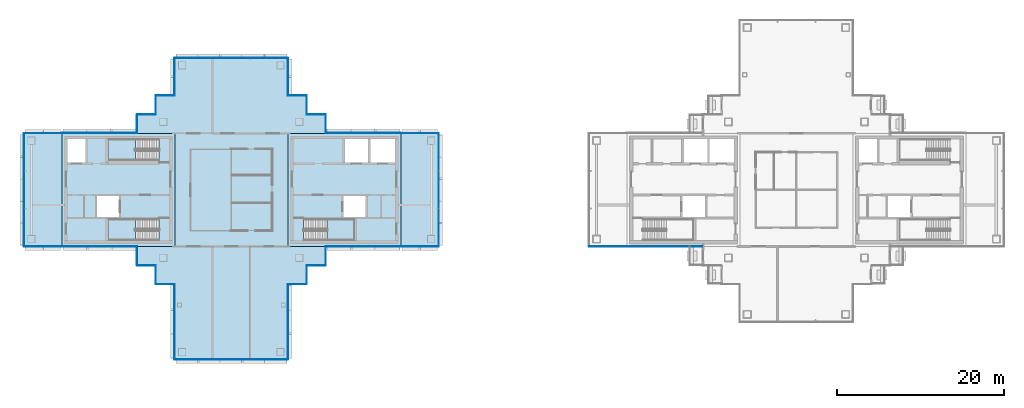
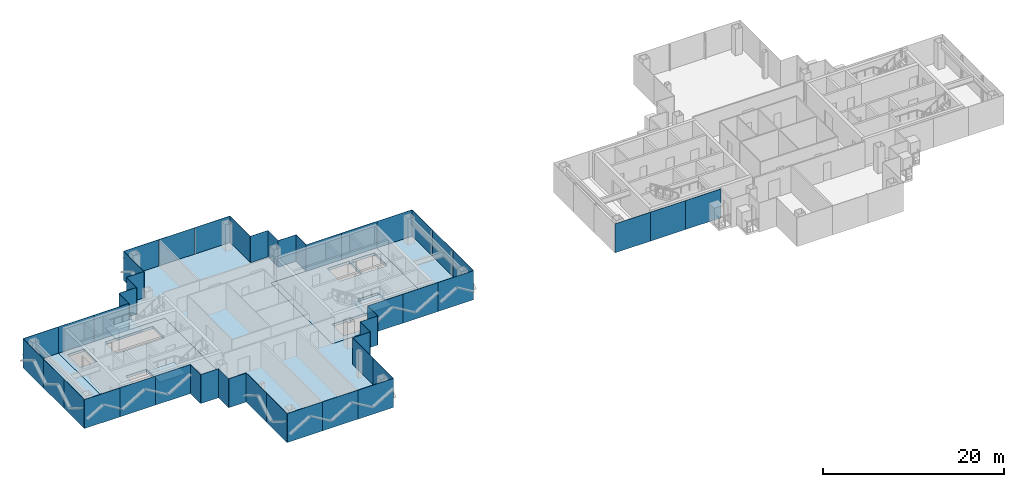
# One storey, part 7 of 17: 49 plates, 8 slabs, 25 elements without a shape of their own.
"""IFC4 building model written with IfcOpenShell, lengths in metres."""

from ifc_helpers import new_model, si_unit, direction, frame, origin, origin_2d, place, context, subcontext, project, spatial, polyline, rectangle, outline, extrude, material, layer, layer_set, type_object, element, aggregate, save


model = new_model("IFC4")

# Units and contexts
model_context = context("Model", 3, precision=1e-05, world=origin(), true_north=direction((0.0, 1.0)))
body_context = subcontext(model_context, "Body", "Model", "MODEL_VIEW")
ifc_project = project(units=[si_unit("LENGTHUNIT", "METRE"), si_unit("AREAUNIT", "SQUARE_METRE"), si_unit("VOLUMEUNIT", "CUBIC_METRE"), si_unit("PLANEANGLEUNIT", "RADIAN"), si_unit("MASSUNIT", "GRAM", prefix="KILO")], contexts=[model_context])

# Site, building, storey
site_placement = place(None, origin())
site = spatial("IfcSite", under=ifc_project, at=site_placement, CompositionType="ELEMENT")
building_placement = place(site_placement, origin())
building = spatial("IfcBuilding", under=site, at=building_placement, Name="Shamsa Quay Exchange Towers", CompositionType="ELEMENT")
storey_placement = place(building_placement, frame((0.0, 0.0, 257.699951171875)))
storey = spatial("IfcBuildingStorey", under=building, at=storey_placement, Name="L62", CompositionType="ELEMENT", Elevation=257.699951171875)

# Slabs
ifc_material_1 = material(Name="Concrete C50/60", Category="concrete")
ifc_layer_1 = layer(ifc_material_1, 0.35009765625)
ifc_layer_set_1 = layer_set([ifc_layer_1], Name="CORE FLOOR 350 C50/60")
slab_type_1 = type_object("IfcSlabType", Name="CORE FLOOR 350 C50/60", PredefinedType="FLOOR", material=ifc_layer_set_1)
slab_1_placement = place(storey_placement, frame((0.0, 0.0, -0.349853515625)))
element("IfcSlab", 1, at=slab_1_placement, inside=storey, type_object=slab_type_1, Name="Core floor T1A", PredefinedType="FLOOR", context=body_context, shape_type="SweptSolid", body=[
    extrude(outline(polyline([(-27.0, -6.75), (-13.5, -6.75), (-13.5, 6.75), (-27.0, 6.75), (-27.0, -6.75)]), holes=[polyline([(-25.099365234375, -6.050048828125), (-25.099365234375, -3.5), (-19.0, -3.5), (-19.0, -6.050048828125), (-25.099365234375, -6.050048828125)]), polyline([(-20.199951171875, 3.25), (-20.199951171875, 6.050048828125), (-17.39990234375, 6.050048828125), (-17.39990234375, 3.25), (-20.199951171875, 3.25)]), polyline([(-17.14990234375, 3.25), (-17.14990234375, 6.050048828125), (-14.199951171875, 6.050048828125), (-14.199951171875, 3.25), (-17.14990234375, 3.25)]), polyline([(-20.35009765625, -3.25), (-20.35009765625, -0.75), (-17.699951171875, -0.75), (-17.699951171875, -3.25), (-20.35009765625, -3.25)])]), origin(), (0.0, 0.0, 1.0), 0.349853515625),
])
slab_2_placement = place(storey_placement, frame((0.0, 0.0, -0.349853515625)))
element("IfcSlab", 2, at=slab_2_placement, inside=storey, type_object=slab_type_1, Name="Core floor T1B", PredefinedType="FLOOR", context=body_context, shape_type="SweptSolid", body=[
    extrude(outline(polyline([(-40.5, -6.75), (-40.5, 6.75), (-54.0, 6.75), (-54.0, -6.75), (-40.5, -6.75)]), holes=[polyline([(-42.400634765625, -3.5), (-42.400634765625, -6.050048828125), (-48.5, -6.050048828125), (-48.5, -3.5), (-42.400634765625, -3.5)]), polyline([(-42.400634765625, 6.050048828125), (-42.400634765625, 3.5), (-48.5, 3.5), (-48.5, 6.050048828125), (-42.400634765625, 6.050048828125)]), polyline([(-51.14990234375, 3.25), (-53.300048828125, 3.25), (-53.300048828125, 6.050048828125), (-51.14990234375, 6.050048828125), (-51.14990234375, 3.25)]), polyline([(-47.14990234375, -3.25), (-49.800048828125, -3.25), (-49.800048828125, -0.75), (-47.14990234375, -0.75), (-47.14990234375, -3.25)])]), origin(), (0.0, 0.0, 1.0), 0.349853515625),
])

# Stair, slab
ifc_material_2 = material(Name="Concrete C40/50", Category="concrete")
stair_type = type_object("IfcStairType", Name="EXIT STAIR 22 RISERS 177 MM", PredefinedType="HALF_TURN_STAIR", material=ifc_material_2)
stair_1_placement = place(storey_placement, origin())
stair_1 = element("IfcStair", 3, at=stair_1_placement, inside=storey, type_object=stair_type, Name="L62 Exit stair ST1", PredefinedType="HALF_TURN_STAIR")
ifc_layer_2 = layer(ifc_material_2, 0.199951171875)
ifc_layer_set_2 = layer_set([ifc_layer_2], Name="CORE STAIR LANDING")
slab_type_2 = type_object("IfcSlabType", Name="CORE STAIR LANDING", PredefinedType="LANDING", material=ifc_layer_set_2)
slab_3_placement = place(storey_placement, frame((0.0, 0.0, 1.75)))
slab_3 = element("IfcSlab", 4, at=slab_3_placement, type_object=slab_type_2, Name="ST1 landing 1", PredefinedType="LANDING", context=body_context, shape_type="SweptSolid", body=[
    extrude(outline(polyline([(-22.300048828125, -6.050048828125), (-19.0, -6.050048828125), (-19.0, -3.5), (-22.300048828125, -3.5), (-22.300048828125, -6.050048828125)])), origin(), (0.0, 0.0, 1.0), 0.199951171875),
])
aggregate(stair_1, [slab_3])

stair_2_placement = place(storey_placement, origin())
stair_2 = element("IfcStair", 5, at=stair_2_placement, inside=storey, type_object=stair_type, Name="L62 Exit stair ST2", PredefinedType="HALF_TURN_STAIR")
slab_4_placement = place(storey_placement, frame((0.0, 0.0, 1.75)))
slab_4 = element("IfcSlab", 6, at=slab_4_placement, type_object=slab_type_2, Name="ST2 landing 1", PredefinedType="LANDING", context=body_context, shape_type="SweptSolid", body=[
    extrude(outline(polyline([(-45.199951171875, -3.5), (-48.5, -3.5), (-48.5, -6.050048828125), (-45.199951171875, -6.050048828125), (-45.199951171875, -3.5)])), origin(), (0.0, 0.0, 1.0), 0.199951171875),
])
aggregate(stair_2, [slab_4])

stair_3_placement = place(storey_placement, origin())
stair_3 = element("IfcStair", 7, at=stair_3_placement, inside=storey, type_object=stair_type, Name="L62 Exit stair ST3", PredefinedType="HALF_TURN_STAIR")
slab_5_placement = place(storey_placement, frame((0.0, 0.0, 1.75)))
slab_5 = element("IfcSlab", 8, at=slab_5_placement, type_object=slab_type_2, Name="ST3 landing 1", PredefinedType="LANDING", context=body_context, shape_type="SweptSolid", body=[
    extrude(outline(polyline([(-45.199951171875, 6.050048828125), (-48.5, 6.050048828125), (-48.5, 3.5), (-45.199951171875, 3.5), (-45.199951171875, 6.050048828125)])), origin(), (0.0, 0.0, 1.0), 0.199951171875),
])
aggregate(stair_3, [slab_5])

# Curtain wall, plates
ifc_material_3 = material(Name="Aluminium EN AW-6063 T6, black anodised", Category="aluminium")
ifc_layer_3 = layer(ifc_material_3, 0.280029296875)
ifc_layer_set_3 = layer_set([ifc_layer_3], Name="CW-1 UNITISED VISION GLASS")
curtain_wall_type_1 = type_object("IfcCurtainWallType", Name="CW-1 UNITISED VISION GLASS", PredefinedType="NOTDEFINED", material=ifc_layer_set_3)
curtain_wall_1_placement = place(storey_placement, origin())
curtain_wall_1 = element("IfcCurtainWall", 9, at=curtain_wall_1_placement, inside=storey, type_object=curtain_wall_type_1, Name="CW1 T1-FLK-V-W L62", PredefinedType="NOTDEFINED")
ifc_material_4 = material(Name="Glass, laminated, dark tinted", Category="glass")
ifc_layer_4 = layer(ifc_material_4, 0.0400390625)
ifc_layer_set_4 = layer_set([ifc_layer_4], Name="CW-1 VISION GLASS 40")
plate_type_1 = type_object("IfcPlateType", Name="CW-1 VISION GLASS 40", PredefinedType="CURTAIN_PANEL", material=ifc_layer_set_4)
plate_1_placement = place(storey_placement, frame((-40.52001953125, -13.52587890625, -0.349853515625), z_axis=(0.0, 0.0, 1.0), x_axis=(0.0, -1.0, 0.0)))
plate_1 = element("IfcPlate", 10, at=plate_1_placement, type_object=plate_type_1, Name="CW1 glass panel", PredefinedType="CURTAIN_PANEL", context=body_context, shape_type="SweptSolid", body=[
    extrude(rectangle(XDim=4.47607421875, YDim=0.0400390625, at=origin_2d()), origin(), (0.0, 0.0, 1.0), 3.89990234375),
])
plate_2_placement = place(storey_placement, frame((-40.52001953125, -18.011962890625, -0.349853515625), z_axis=(0.0, 0.0, 1.0), x_axis=(0.0, -1.0, 0.0)))
plate_2 = element("IfcPlate", 11, at=plate_2_placement, type_object=plate_type_1, Name="CW1 glass panel", PredefinedType="CURTAIN_PANEL", context=body_context, shape_type="SweptSolid", body=[
    extrude(rectangle(XDim=4.47607421875, YDim=0.0400390625, at=origin_2d()), origin(), (0.0, 0.0, 1.0), 3.89990234375),
])
aggregate(curtain_wall_1, [plate_1, plate_2])

curtain_wall_2_placement = place(storey_placement, origin())
curtain_wall_2 = element("IfcCurtainWall", 12, at=curtain_wall_2_placement, inside=storey, type_object=curtain_wall_type_1, Name="CW1 T1-END-V- L62", PredefinedType="NOTDEFINED")
plate_3_placement = place(storey_placement, frame((-38.25244140625, -20.27001953125, -0.349853515625)))
plate_3 = element("IfcPlate", 13, at=plate_3_placement, type_object=plate_type_1, Name="CW1 glass panel", PredefinedType="CURTAIN_PANEL", context=body_context, shape_type="SweptSolid", body=[
    extrude(rectangle(XDim=4.4951171875, YDim=0.0400390625, at=origin_2d()), origin(), (0.0, 0.0, 1.0), 3.89990234375),
])
plate_4_placement = place(storey_placement, frame((-33.75, -20.27001953125, -0.349853515625)))
plate_4 = element("IfcPlate", 14, at=plate_4_placement, type_object=plate_type_1, Name="CW1 glass panel", PredefinedType="CURTAIN_PANEL", context=body_context, shape_type="SweptSolid", body=[
    extrude(rectangle(XDim=4.489990234375, YDim=0.0400390625, at=origin_2d()), origin(), (0.0, 0.0, 1.0), 3.89990234375),
])
plate_5_placement = place(storey_placement, frame((-29.24755859375, -20.27001953125, -0.349853515625)))
plate_5 = element("IfcPlate", 15, at=plate_5_placement, type_object=plate_type_1, Name="CW1 glass panel", PredefinedType="CURTAIN_PANEL", context=body_context, shape_type="SweptSolid", body=[
    extrude(rectangle(XDim=4.4951171875, YDim=0.0400390625, at=origin_2d()), origin(), (0.0, 0.0, 1.0), 3.89990234375),
])
aggregate(curtain_wall_2, [plate_3, plate_4, plate_5])

curtain_wall_3_placement = place(storey_placement, origin())
curtain_wall_3 = element("IfcCurtainWall", 16, at=curtain_wall_3_placement, inside=storey, type_object=curtain_wall_type_1, Name="CW1 T1-FLK-V-E L62", PredefinedType="NOTDEFINED")
plate_6_placement = place(storey_placement, frame((-26.97998046875, -18.00244140625, -0.349853515625), z_axis=(0.0, 0.0, 1.0), x_axis=(0.0, 1.0, 0.0)))
plate_6 = element("IfcPlate", 17, at=plate_6_placement, type_object=plate_type_1, Name="CW1 glass panel", PredefinedType="CURTAIN_PANEL", context=body_context, shape_type="SweptSolid", body=[
    extrude(rectangle(XDim=4.4951171875, YDim=0.0400390625, at=origin_2d()), origin(), (0.0, 0.0, 1.0), 3.89990234375),
])
plate_7_placement = place(storey_placement, frame((-26.97998046875, -13.49755859375, -0.349853515625), z_axis=(0.0, 0.0, 1.0), x_axis=(0.0, 1.0, 0.0)))
plate_7 = element("IfcPlate", 18, at=plate_7_placement, type_object=plate_type_1, Name="CW1 glass panel", PredefinedType="CURTAIN_PANEL", context=body_context, shape_type="SweptSolid", body=[
    extrude(rectangle(XDim=4.4951171875, YDim=0.0400390625, at=origin_2d()), origin(), (0.0, 0.0, 1.0), 3.89990234375),
])
aggregate(curtain_wall_3, [plate_6, plate_7])

# Curtain wall, plate
curtain_wall_4_placement = place(storey_placement, origin())
curtain_wall_4 = element("IfcCurtainWall", 19, at=curtain_wall_4_placement, inside=storey, type_object=curtain_wall_type_1, Name="CW1 T1-FLK-U+S L62", PredefinedType="NOTDEFINED")
plate_8_placement = place(storey_placement, frame((-11.25, -6.77001953125, -0.349853515625)))
plate_8 = element("IfcPlate", 20, at=plate_8_placement, type_object=plate_type_1, Name="CW1 glass panel", PredefinedType="CURTAIN_PANEL", context=body_context, shape_type="SweptSolid", body=[
    extrude(rectangle(XDim=4.5, YDim=0.0400390625, at=origin_2d()), origin(), (0.0, 0.0, 1.0), 3.89990234375),
])
aggregate(curtain_wall_4, [plate_8])

# Curtain wall, plates
curtain_wall_5_placement = place(storey_placement, origin())
curtain_wall_5 = element("IfcCurtainWall", 21, at=curtain_wall_5_placement, inside=storey, type_object=curtain_wall_type_1, Name="CW1 T1-END-U+ L62", PredefinedType="NOTDEFINED")
plate_9_placement = place(storey_placement, frame((-8.97998046875, -4.50244140625, -0.349853515625), z_axis=(0.0, 0.0, 1.0), x_axis=(0.0, 1.0, 0.0)))
plate_9 = element("IfcPlate", 22, at=plate_9_placement, type_object=plate_type_1, Name="CW1 glass panel", PredefinedType="CURTAIN_PANEL", context=body_context, shape_type="SweptSolid", body=[
    extrude(rectangle(XDim=4.4951171875, YDim=0.0400390625, at=origin_2d()), origin(), (0.0, 0.0, 1.0), 3.89990234375),
])
plate_10_placement = place(storey_placement, frame((-8.97998046875, 0.0, -0.349853515625), z_axis=(0.0, 0.0, 1.0), x_axis=(0.0, 1.0, 0.0)))
plate_10 = element("IfcPlate", 23, at=plate_10_placement, type_object=plate_type_1, Name="CW1 glass panel", PredefinedType="CURTAIN_PANEL", context=body_context, shape_type="SweptSolid", body=[
    extrude(rectangle(XDim=4.489990234375, YDim=0.0400390625, at=origin_2d()), origin(), (0.0, 0.0, 1.0), 3.89990234375),
])
plate_11_placement = place(storey_placement, frame((-8.97998046875, 4.50244140625, -0.349853515625), z_axis=(0.0, 0.0, 1.0), x_axis=(0.0, 1.0, 0.0)))
plate_11 = element("IfcPlate", 24, at=plate_11_placement, type_object=plate_type_1, Name="CW1 glass panel", PredefinedType="CURTAIN_PANEL", context=body_context, shape_type="SweptSolid", body=[
    extrude(rectangle(XDim=4.4951171875, YDim=0.0400390625, at=origin_2d()), origin(), (0.0, 0.0, 1.0), 3.89990234375),
])
aggregate(curtain_wall_5, [plate_9, plate_10, plate_11])

# Curtain wall, plate
curtain_wall_6_placement = place(storey_placement, origin())
curtain_wall_6 = element("IfcCurtainWall", 25, at=curtain_wall_6_placement, inside=storey, type_object=curtain_wall_type_1, Name="CW1 T1-FLK-U+N L62", PredefinedType="NOTDEFINED")
plate_12_placement = place(storey_placement, frame((-11.25, 6.77001953125, -0.349853515625), z_axis=(0.0, 0.0, 1.0), x_axis=(-1.0, 0.0, 0.0)))
plate_12 = element("IfcPlate", 26, at=plate_12_placement, type_object=plate_type_1, Name="CW1 glass panel", PredefinedType="CURTAIN_PANEL", context=body_context, shape_type="SweptSolid", body=[
    extrude(rectangle(XDim=4.5, YDim=0.0400390625, at=origin_2d()), origin(), (0.0, 0.0, 1.0), 3.89990234375),
])
aggregate(curtain_wall_6, [plate_12])

curtain_wall_7_placement = place(storey_placement, origin())
curtain_wall_7 = element("IfcCurtainWall", 27, at=curtain_wall_7_placement, inside=storey, type_object=curtain_wall_type_1, Name="CW1 T1-FLK-V+E L62", PredefinedType="NOTDEFINED")
plate_13_placement = place(storey_placement, frame((-26.97998046875, 13.51904296875, -0.349853515625), z_axis=(0.0, 0.0, 1.0), x_axis=(0.0, 1.0, 0.0)))
plate_13 = element("IfcPlate", 28, at=plate_13_placement, type_object=plate_type_1, Name="CW1 glass panel", PredefinedType="CURTAIN_PANEL", context=body_context, shape_type="SweptSolid", body=[
    extrude(rectangle(XDim=4.4619140625, YDim=0.0400390625, at=origin_2d()), origin(), (0.0, 0.0, 1.0), 3.89990234375),
])
aggregate(curtain_wall_7, [plate_13])

# Curtain wall, plates
curtain_wall_8_placement = place(storey_placement, origin())
curtain_wall_8 = element("IfcCurtainWall", 29, at=curtain_wall_8_placement, inside=storey, type_object=curtain_wall_type_1, Name="CW1 T1-END-V+ L62", PredefinedType="NOTDEFINED")
plate_14_placement = place(storey_placement, frame((-29.24755859375, 15.77001953125, -0.349853515625), z_axis=(0.0, 0.0, 1.0), x_axis=(-1.0, 0.0, 0.0)))
plate_14 = element("IfcPlate", 30, at=plate_14_placement, type_object=plate_type_1, Name="CW1 glass panel", PredefinedType="CURTAIN_PANEL", context=body_context, shape_type="SweptSolid", body=[
    extrude(rectangle(XDim=4.4951171875, YDim=0.0400390625, at=origin_2d()), origin(), (0.0, 0.0, 1.0), 3.89990234375),
])
plate_15_placement = place(storey_placement, frame((-33.75, 15.77001953125, -0.349853515625), z_axis=(0.0, 0.0, 1.0), x_axis=(-1.0, 0.0, 0.0)))
plate_15 = element("IfcPlate", 31, at=plate_15_placement, type_object=plate_type_1, Name="CW1 glass panel", PredefinedType="CURTAIN_PANEL", context=body_context, shape_type="SweptSolid", body=[
    extrude(rectangle(XDim=4.489990234375, YDim=0.0400390625, at=origin_2d()), origin(), (0.0, 0.0, 1.0), 3.89990234375),
])
plate_16_placement = place(storey_placement, frame((-38.25244140625, 15.77001953125, -0.349853515625), z_axis=(0.0, 0.0, 1.0), x_axis=(-1.0, 0.0, 0.0)))
plate_16 = element("IfcPlate", 32, at=plate_16_placement, type_object=plate_type_1, Name="CW1 glass panel", PredefinedType="CURTAIN_PANEL", context=body_context, shape_type="SweptSolid", body=[
    extrude(rectangle(XDim=4.4951171875, YDim=0.0400390625, at=origin_2d()), origin(), (0.0, 0.0, 1.0), 3.89990234375),
])
aggregate(curtain_wall_8, [plate_14, plate_15, plate_16])

# Curtain wall, plate
curtain_wall_9_placement = place(storey_placement, origin())
curtain_wall_9 = element("IfcCurtainWall", 33, at=curtain_wall_9_placement, inside=storey, type_object=curtain_wall_type_1, Name="CW1 T1-FLK-V+W L62", PredefinedType="NOTDEFINED")
plate_17_placement = place(storey_placement, frame((-40.52001953125, 13.5, -0.349853515625), z_axis=(0.0, 0.0, 1.0), x_axis=(0.0, -1.0, 0.0)))
plate_17 = element("IfcPlate", 34, at=plate_17_placement, type_object=plate_type_1, Name="CW1 glass panel", PredefinedType="CURTAIN_PANEL", context=body_context, shape_type="SweptSolid", body=[
    extrude(rectangle(XDim=4.5, YDim=0.0400390625, at=origin_2d()), origin(), (0.0, 0.0, 1.0), 3.89990234375),
])
aggregate(curtain_wall_9, [plate_17])

curtain_wall_10_placement = place(storey_placement, origin())
curtain_wall_10 = element("IfcCurtainWall", 35, at=curtain_wall_10_placement, inside=storey, type_object=curtain_wall_type_1, Name="CW1 T1-FLK-U-N L62", PredefinedType="NOTDEFINED")
plate_18_placement = place(storey_placement, frame((-56.25, 6.77001953125, -0.349853515625), z_axis=(0.0, 0.0, 1.0), x_axis=(-1.0, 0.0, 0.0)))
plate_18 = element("IfcPlate", 36, at=plate_18_placement, type_object=plate_type_1, Name="CW1 glass panel", PredefinedType="CURTAIN_PANEL", context=body_context, shape_type="SweptSolid", body=[
    extrude(rectangle(XDim=4.5, YDim=0.0400390625, at=origin_2d()), origin(), (0.0, 0.0, 1.0), 3.89990234375),
])
aggregate(curtain_wall_10, [plate_18])

# Curtain wall, plates
curtain_wall_11_placement = place(storey_placement, origin())
curtain_wall_11 = element("IfcCurtainWall", 37, at=curtain_wall_11_placement, inside=storey, type_object=curtain_wall_type_1, Name="CW1 T1-END-U- L62", PredefinedType="NOTDEFINED")
plate_19_placement = place(storey_placement, frame((-58.52001953125, 4.50244140625, -0.349853515625), z_axis=(0.0, 0.0, 1.0), x_axis=(0.0, -1.0, 0.0)))
plate_19 = element("IfcPlate", 38, at=plate_19_placement, type_object=plate_type_1, Name="CW1 glass panel", PredefinedType="CURTAIN_PANEL", context=body_context, shape_type="SweptSolid", body=[
    extrude(rectangle(XDim=4.4951171875, YDim=0.0400390625, at=origin_2d()), origin(), (0.0, 0.0, 1.0), 3.89990234375),
])
plate_20_placement = place(storey_placement, frame((-58.52001953125, 0.0, -0.349853515625), z_axis=(0.0, 0.0, 1.0), x_axis=(0.0, -1.0, 0.0)))
plate_20 = element("IfcPlate", 39, at=plate_20_placement, type_object=plate_type_1, Name="CW1 glass panel", PredefinedType="CURTAIN_PANEL", context=body_context, shape_type="SweptSolid", body=[
    extrude(rectangle(XDim=4.489990234375, YDim=0.0400390625, at=origin_2d()), origin(), (0.0, 0.0, 1.0), 3.89990234375),
])
plate_21_placement = place(storey_placement, frame((-58.52001953125, -4.50244140625, -0.349853515625), z_axis=(0.0, 0.0, 1.0), x_axis=(0.0, -1.0, 0.0)))
plate_21 = element("IfcPlate", 40, at=plate_21_placement, type_object=plate_type_1, Name="CW1 glass panel", PredefinedType="CURTAIN_PANEL", context=body_context, shape_type="SweptSolid", body=[
    extrude(rectangle(XDim=4.4951171875, YDim=0.0400390625, at=origin_2d()), origin(), (0.0, 0.0, 1.0), 3.89990234375),
])
aggregate(curtain_wall_11, [plate_19, plate_20, plate_21])

# Curtain wall, plate
curtain_wall_12_placement = place(storey_placement, origin())
curtain_wall_12 = element("IfcCurtainWall", 41, at=curtain_wall_12_placement, inside=storey, type_object=curtain_wall_type_1, Name="CW1 T1-FLK-U-S L62", PredefinedType="NOTDEFINED")
plate_22_placement = place(storey_placement, frame((-56.25, -6.77001953125, -0.349853515625)))
plate_22 = element("IfcPlate", 42, at=plate_22_placement, type_object=plate_type_1, Name="CW1 glass panel", PredefinedType="CURTAIN_PANEL", context=body_context, shape_type="SweptSolid", body=[
    extrude(rectangle(XDim=4.5, YDim=0.0400390625, at=origin_2d()), origin(), (0.0, 0.0, 1.0), 3.89990234375),
])
aggregate(curtain_wall_12, [plate_22])

curtain_wall_13_placement = place(storey_placement, origin())
curtain_wall_13 = element("IfcCurtainWall", 43, at=curtain_wall_13_placement, inside=storey, type_object=curtain_wall_type_1, Name="CW1 T2-FLK-V+W L62", PredefinedType="NOTDEFINED")
plate_23_placement = place(storey_placement, frame((11.25, -6.77001953125, -0.349853515625)))
plate_23 = element("IfcPlate", 44, at=plate_23_placement, type_object=plate_type_1, Name="CW1 glass panel", PredefinedType="CURTAIN_PANEL", context=body_context, shape_type="SweptSolid", body=[
    extrude(rectangle(XDim=4.5, YDim=0.0400390625, at=origin_2d()), origin(), (0.0, 0.0, 1.0), 3.89990234375),
])
aggregate(curtain_wall_13, [plate_23])

# Curtain wall, plates
ifc_layer_5 = layer(ifc_material_3, 0.303955078125)
ifc_layer_set_5 = layer_set([ifc_layer_5], Name="CW-2 UNITISED OPAQUE SPANDREL GLASS")
curtain_wall_type_2 = type_object("IfcCurtainWallType", Name="CW-2 UNITISED OPAQUE SPANDREL GLASS", PredefinedType="NOTDEFINED", material=ifc_layer_set_5)
curtain_wall_14_placement = place(storey_placement, origin())
curtain_wall_14 = element("IfcCurtainWall", 45, at=curtain_wall_14_placement, inside=storey, type_object=curtain_wall_type_2, Name="CW2 T1-FLK-U+S L62", PredefinedType="NOTDEFINED")
ifc_material_5 = material(Name="Glass, laminated, black enamelled opaque", Category="glass")
ifc_layer_6 = layer(ifc_material_5, 0.0439453125)
ifc_layer_set_6 = layer_set([ifc_layer_6], Name="CW-2 SPANDREL GLASS 44")
plate_type_2 = type_object("IfcPlateType", Name="CW-2 SPANDREL GLASS 44", PredefinedType="CURTAIN_PANEL", material=ifc_layer_set_6)
plate_24_placement = place(storey_placement, frame((-20.22412109375, -6.77197265625, -0.349853515625)))
plate_24 = element("IfcPlate", 46, at=plate_24_placement, type_object=plate_type_2, Name="CW2 glass panel", PredefinedType="CURTAIN_PANEL", context=body_context, shape_type="SweptSolid", body=[
    extrude(rectangle(XDim=4.47607421875, YDim=0.0439453125, at=origin_2d()), origin(), (0.0, 0.0, 1.0), 3.89990234375),
])
plate_25_placement = place(storey_placement, frame((-15.738037109375, -6.77197265625, -0.349853515625)))
plate_25 = element("IfcPlate", 47, at=plate_25_placement, type_object=plate_type_2, Name="CW2 glass panel", PredefinedType="CURTAIN_PANEL", context=body_context, shape_type="SweptSolid", body=[
    extrude(rectangle(XDim=4.47607421875, YDim=0.0439453125, at=origin_2d()), origin(), (0.0, 0.0, 1.0), 3.89990234375),
])
aggregate(curtain_wall_14, [plate_24, plate_25])

curtain_wall_15_placement = place(storey_placement, origin())
curtain_wall_15 = element("IfcCurtainWall", 48, at=curtain_wall_15_placement, inside=storey, type_object=curtain_wall_type_2, Name="CW2 T1-FLK-U+N L62", PredefinedType="NOTDEFINED")
plate_26_placement = place(storey_placement, frame((-15.74755859375, 6.77197265625, -0.349853515625), z_axis=(0.0, 0.0, 1.0), x_axis=(-1.0, 0.0, 0.0)))
plate_26 = element("IfcPlate", 49, at=plate_26_placement, type_object=plate_type_2, Name="CW2 glass panel", PredefinedType="CURTAIN_PANEL", context=body_context, shape_type="SweptSolid", body=[
    extrude(rectangle(XDim=4.4951171875, YDim=0.0439453125, at=origin_2d()), origin(), (0.0, 0.0, 1.0), 3.89990234375),
])
plate_27_placement = place(storey_placement, frame((-20.25244140625, 6.77197265625, -0.349853515625), z_axis=(0.0, 0.0, 1.0), x_axis=(-1.0, 0.0, 0.0)))
plate_27 = element("IfcPlate", 50, at=plate_27_placement, type_object=plate_type_2, Name="CW2 glass panel", PredefinedType="CURTAIN_PANEL", context=body_context, shape_type="SweptSolid", body=[
    extrude(rectangle(XDim=4.4951171875, YDim=0.0439453125, at=origin_2d()), origin(), (0.0, 0.0, 1.0), 3.89990234375),
])
aggregate(curtain_wall_15, [plate_26, plate_27])

curtain_wall_16_placement = place(storey_placement, origin())
curtain_wall_16 = element("IfcCurtainWall", 51, at=curtain_wall_16_placement, inside=storey, type_object=curtain_wall_type_2, Name="CW2 T1-FLK-U-N L62", PredefinedType="NOTDEFINED")
plate_28_placement = place(storey_placement, frame((-47.27587890625, 6.77197265625, -0.349853515625), z_axis=(0.0, 0.0, 1.0), x_axis=(-1.0, 0.0, 0.0)))
plate_28 = element("IfcPlate", 52, at=plate_28_placement, type_object=plate_type_2, Name="CW2 glass panel", PredefinedType="CURTAIN_PANEL", context=body_context, shape_type="SweptSolid", body=[
    extrude(rectangle(XDim=4.47607421875, YDim=0.0439453125, at=origin_2d()), origin(), (0.0, 0.0, 1.0), 3.89990234375),
])
plate_29_placement = place(storey_placement, frame((-51.761962890625, 6.77197265625, -0.349853515625), z_axis=(0.0, 0.0, 1.0), x_axis=(-1.0, 0.0, 0.0)))
plate_29 = element("IfcPlate", 53, at=plate_29_placement, type_object=plate_type_2, Name="CW2 glass panel", PredefinedType="CURTAIN_PANEL", context=body_context, shape_type="SweptSolid", body=[
    extrude(rectangle(XDim=4.47607421875, YDim=0.0439453125, at=origin_2d()), origin(), (0.0, 0.0, 1.0), 3.89990234375),
])
aggregate(curtain_wall_16, [plate_28, plate_29])

curtain_wall_17_placement = place(storey_placement, origin())
curtain_wall_17 = element("IfcCurtainWall", 54, at=curtain_wall_17_placement, inside=storey, type_object=curtain_wall_type_2, Name="CW2 T1-FLK-U-S L62", PredefinedType="NOTDEFINED")
plate_30_placement = place(storey_placement, frame((-51.75244140625, -6.77197265625, -0.349853515625)))
plate_30 = element("IfcPlate", 55, at=plate_30_placement, type_object=plate_type_2, Name="CW2 glass panel", PredefinedType="CURTAIN_PANEL", context=body_context, shape_type="SweptSolid", body=[
    extrude(rectangle(XDim=4.4951171875, YDim=0.0439453125, at=origin_2d()), origin(), (0.0, 0.0, 1.0), 3.89990234375),
])
plate_31_placement = place(storey_placement, frame((-47.24755859375, -6.77197265625, -0.349853515625)))
plate_31 = element("IfcPlate", 56, at=plate_31_placement, type_object=plate_type_2, Name="CW2 glass panel", PredefinedType="CURTAIN_PANEL", context=body_context, shape_type="SweptSolid", body=[
    extrude(rectangle(XDim=4.4951171875, YDim=0.0439453125, at=origin_2d()), origin(), (0.0, 0.0, 1.0), 3.89990234375),
])
aggregate(curtain_wall_17, [plate_30, plate_31])

curtain_wall_18_placement = place(storey_placement, origin())
curtain_wall_18 = element("IfcCurtainWall", 57, at=curtain_wall_18_placement, inside=storey, type_object=curtain_wall_type_2, Name="CW2 T2-FLK-V+W L62", PredefinedType="NOTDEFINED")
plate_32_placement = place(storey_placement, frame((15.74755859375, -6.77197265625, -0.349853515625)))
plate_32 = element("IfcPlate", 58, at=plate_32_placement, type_object=plate_type_2, Name="CW2 glass panel", PredefinedType="CURTAIN_PANEL", context=body_context, shape_type="SweptSolid", body=[
    extrude(rectangle(XDim=4.4951171875, YDim=0.0439453125, at=origin_2d()), origin(), (0.0, 0.0, 1.0), 3.89990234375),
])
plate_33_placement = place(storey_placement, frame((20.25244140625, -6.77197265625, -0.349853515625)))
plate_33 = element("IfcPlate", 59, at=plate_33_placement, type_object=plate_type_2, Name="CW2 glass panel", PredefinedType="CURTAIN_PANEL", context=body_context, shape_type="SweptSolid", body=[
    extrude(rectangle(XDim=4.4951171875, YDim=0.0439453125, at=origin_2d()), origin(), (0.0, 0.0, 1.0), 3.89990234375),
])
aggregate(curtain_wall_18, [plate_32, plate_33])

ifc_layer_7 = layer(ifc_material_3, 0.256103515625)
ifc_layer_set_7 = layer_set([ifc_layer_7], Name="CW-4 POCKET SERRATED GLAZING")
curtain_wall_type_3 = type_object("IfcCurtainWallType", Name="CW-4 POCKET SERRATED GLAZING", PredefinedType="NOTDEFINED", material=ifc_layer_set_7)
curtain_wall_19_placement = place(storey_placement, origin())
curtain_wall_19 = element("IfcCurtainWall", 60, at=curtain_wall_19_placement, inside=storey, type_object=curtain_wall_type_3, Name="CW4 PKWS L62", PredefinedType="NOTDEFINED")
ifc_layer_8 = layer(ifc_material_4, 0.035888671875)
ifc_layer_set_8 = layer_set([ifc_layer_8], Name="CW-4 POCKET GLASS 36")
plate_type_3 = type_object("IfcPlateType", Name="CW-4 POCKET GLASS 36", PredefinedType="CURTAIN_PANEL", material=ifc_layer_set_8)
plate_34_placement = place(storey_placement, frame((-42.76806640625, -10.14404296875, -0.349853515625), z_axis=(0.0, 0.0, 1.0), x_axis=(0.0, -1.0, 0.0)))
plate_34 = element("IfcPlate", 61, at=plate_34_placement, type_object=plate_type_3, Name="CW4 glass panel", PredefinedType="CURTAIN_PANEL", context=body_context, shape_type="SweptSolid", body=[
    extrude(rectangle(XDim=2.2119140625, YDim=0.035888671875, at=origin_2d()), origin(), (0.0, 0.0, 1.0), 3.89990234375),
])
plate_35_placement = place(storey_placement, frame((-41.625, -11.26806640625, -0.349853515625)))
plate_35 = element("IfcPlate", 62, at=plate_35_placement, type_object=plate_type_3, Name="CW4 glass panel", PredefinedType="CURTAIN_PANEL", context=body_context, shape_type="SweptSolid", body=[
    extrude(rectangle(XDim=2.25, YDim=0.035888671875, at=origin_2d()), origin(), (0.0, 0.0, 1.0), 3.89990234375),
])
plate_36_placement = place(storey_placement, frame((-45.01806640625, -7.89794921875, -0.349853515625), z_axis=(0.0, 0.0, 1.0), x_axis=(0.0, -1.0, 0.0)))
plate_36 = element("IfcPlate", 63, at=plate_36_placement, type_object=plate_type_3, Name="CW4 glass panel", PredefinedType="CURTAIN_PANEL", context=body_context, shape_type="SweptSolid", body=[
    extrude(rectangle(XDim=2.2041015625, YDim=0.035888671875, at=origin_2d()), origin(), (0.0, 0.0, 1.0), 3.89990234375),
])
plate_37_placement = place(storey_placement, frame((-43.875, -9.01806640625, -0.349853515625)))
plate_37 = element("IfcPlate", 64, at=plate_37_placement, type_object=plate_type_3, Name="CW4 glass panel", PredefinedType="CURTAIN_PANEL", context=body_context, shape_type="SweptSolid", body=[
    extrude(rectangle(XDim=2.25, YDim=0.035888671875, at=origin_2d()), origin(), (0.0, 0.0, 1.0), 3.89990234375),
])
aggregate(curtain_wall_19, [plate_34, plate_35, plate_36, plate_37])

curtain_wall_20_placement = place(storey_placement, origin())
curtain_wall_20 = element("IfcCurtainWall", 65, at=curtain_wall_20_placement, inside=storey, type_object=curtain_wall_type_3, Name="CW4 PKES L62", PredefinedType="NOTDEFINED")
plate_38_placement = place(storey_placement, frame((-25.85400390625, -11.26806640625, -0.349853515625)))
plate_38 = element("IfcPlate", 66, at=plate_38_placement, type_object=plate_type_3, Name="CW4 glass panel", PredefinedType="CURTAIN_PANEL", context=body_context, shape_type="SweptSolid", body=[
    extrude(rectangle(XDim=2.2080078125, YDim=0.035888671875, at=origin_2d()), origin(), (0.0, 0.0, 1.0), 3.89990234375),
])
plate_39_placement = place(storey_placement, frame((-24.73193359375, -10.125, -0.349853515625), z_axis=(0.0, 0.0, 1.0), x_axis=(0.0, 1.0, 0.0)))
plate_39 = element("IfcPlate", 67, at=plate_39_placement, type_object=plate_type_3, Name="CW4 glass panel", PredefinedType="CURTAIN_PANEL", context=body_context, shape_type="SweptSolid", body=[
    extrude(rectangle(XDim=2.25, YDim=0.035888671875, at=origin_2d()), origin(), (0.0, 0.0, 1.0), 3.89990234375),
])
plate_40_placement = place(storey_placement, frame((-23.60595703125, -9.01806640625, -0.349853515625)))
plate_40 = element("IfcPlate", 68, at=plate_40_placement, type_object=plate_type_3, Name="CW4 glass panel", PredefinedType="CURTAIN_PANEL", context=body_context, shape_type="SweptSolid", body=[
    extrude(rectangle(XDim=2.2119140625, YDim=0.035888671875, at=origin_2d()), origin(), (0.0, 0.0, 1.0), 3.89990234375),
])
plate_41_placement = place(storey_placement, frame((-22.48193359375, -7.875, -0.349853515625), z_axis=(0.0, 0.0, 1.0), x_axis=(0.0, 1.0, 0.0)))
plate_41 = element("IfcPlate", 69, at=plate_41_placement, type_object=plate_type_3, Name="CW4 glass panel", PredefinedType="CURTAIN_PANEL", context=body_context, shape_type="SweptSolid", body=[
    extrude(rectangle(XDim=2.25, YDim=0.035888671875, at=origin_2d()), origin(), (0.0, 0.0, 1.0), 3.89990234375),
])
aggregate(curtain_wall_20, [plate_38, plate_39, plate_40, plate_41])

curtain_wall_21_placement = place(storey_placement, origin())
curtain_wall_21 = element("IfcCurtainWall", 70, at=curtain_wall_21_placement, inside=storey, type_object=curtain_wall_type_3, Name="CW4 PKEN L62", PredefinedType="NOTDEFINED")
plate_42_placement = place(storey_placement, frame((-22.48193359375, 7.89794921875, -0.349853515625), z_axis=(0.0, 0.0, 1.0), x_axis=(0.0, 1.0, 0.0)))
plate_42 = element("IfcPlate", 71, at=plate_42_placement, type_object=plate_type_3, Name="CW4 glass panel", PredefinedType="CURTAIN_PANEL", context=body_context, shape_type="SweptSolid", body=[
    extrude(rectangle(XDim=2.2041015625, YDim=0.035888671875, at=origin_2d()), origin(), (0.0, 0.0, 1.0), 3.89990234375),
])
plate_43_placement = place(storey_placement, frame((-23.625, 9.01806640625, -0.349853515625), z_axis=(0.0, 0.0, 1.0), x_axis=(-1.0, 0.0, 0.0)))
plate_43 = element("IfcPlate", 72, at=plate_43_placement, type_object=plate_type_3, Name="CW4 glass panel", PredefinedType="CURTAIN_PANEL", context=body_context, shape_type="SweptSolid", body=[
    extrude(rectangle(XDim=2.25, YDim=0.035888671875, at=origin_2d()), origin(), (0.0, 0.0, 1.0), 3.89990234375),
])
plate_44_placement = place(storey_placement, frame((-24.73193359375, 10.14404296875, -0.349853515625), z_axis=(0.0, 0.0, 1.0), x_axis=(0.0, 1.0, 0.0)))
plate_44 = element("IfcPlate", 73, at=plate_44_placement, type_object=plate_type_3, Name="CW4 glass panel", PredefinedType="CURTAIN_PANEL", context=body_context, shape_type="SweptSolid", body=[
    extrude(rectangle(XDim=2.2119140625, YDim=0.035888671875, at=origin_2d()), origin(), (0.0, 0.0, 1.0), 3.89990234375),
])
plate_45_placement = place(storey_placement, frame((-25.875, 11.26806640625, -0.349853515625), z_axis=(0.0, 0.0, 1.0), x_axis=(-1.0, 0.0, 0.0)))
plate_45 = element("IfcPlate", 74, at=plate_45_placement, type_object=plate_type_3, Name="CW4 glass panel", PredefinedType="CURTAIN_PANEL", context=body_context, shape_type="SweptSolid", body=[
    extrude(rectangle(XDim=2.25, YDim=0.035888671875, at=origin_2d()), origin(), (0.0, 0.0, 1.0), 3.89990234375),
])
aggregate(curtain_wall_21, [plate_42, plate_43, plate_44, plate_45])

curtain_wall_22_placement = place(storey_placement, origin())
curtain_wall_22 = element("IfcCurtainWall", 75, at=curtain_wall_22_placement, inside=storey, type_object=curtain_wall_type_3, Name="CW4 PKWN L62", PredefinedType="NOTDEFINED")
plate_46_placement = place(storey_placement, frame((-41.64599609375, 11.26806640625, -0.349853515625), z_axis=(0.0, 0.0, 1.0), x_axis=(-1.0, 0.0, 0.0)))
plate_46 = element("IfcPlate", 76, at=plate_46_placement, type_object=plate_type_3, Name="CW4 glass panel", PredefinedType="CURTAIN_PANEL", context=body_context, shape_type="SweptSolid", body=[
    extrude(rectangle(XDim=2.2080078125, YDim=0.035888671875, at=origin_2d()), origin(), (0.0, 0.0, 1.0), 3.89990234375),
])
plate_47_placement = place(storey_placement, frame((-42.76806640625, 10.125, -0.349853515625), z_axis=(0.0, 0.0, 1.0), x_axis=(0.0, -1.0, 0.0)))
plate_47 = element("IfcPlate", 77, at=plate_47_placement, type_object=plate_type_3, Name="CW4 glass panel", PredefinedType="CURTAIN_PANEL", context=body_context, shape_type="SweptSolid", body=[
    extrude(rectangle(XDim=2.25, YDim=0.035888671875, at=origin_2d()), origin(), (0.0, 0.0, 1.0), 3.89990234375),
])
plate_48_placement = place(storey_placement, frame((-43.89404296875, 9.01806640625, -0.349853515625), z_axis=(0.0, 0.0, 1.0), x_axis=(-1.0, 0.0, 0.0)))
plate_48 = element("IfcPlate", 78, at=plate_48_placement, type_object=plate_type_3, Name="CW4 glass panel", PredefinedType="CURTAIN_PANEL", context=body_context, shape_type="SweptSolid", body=[
    extrude(rectangle(XDim=2.2119140625, YDim=0.035888671875, at=origin_2d()), origin(), (0.0, 0.0, 1.0), 3.89990234375),
])
plate_49_placement = place(storey_placement, frame((-45.01806640625, 7.875, -0.349853515625), z_axis=(0.0, 0.0, 1.0), x_axis=(0.0, -1.0, 0.0)))
plate_49 = element("IfcPlate", 79, at=plate_49_placement, type_object=plate_type_3, Name="CW4 glass panel", PredefinedType="CURTAIN_PANEL", context=body_context, shape_type="SweptSolid", body=[
    extrude(rectangle(XDim=2.25, YDim=0.035888671875, at=origin_2d()), origin(), (0.0, 0.0, 1.0), 3.89990234375),
])
aggregate(curtain_wall_22, [plate_46, plate_47, plate_48, plate_49])

# Slabs
ifc_layer_9 = layer(ifc_material_2, 0.35009765625)
ifc_layer_set_9 = layer_set([ifc_layer_9], Name="Flat slab 350")
slab_type_3 = type_object("IfcSlabType", Name="Flat slab 350", PredefinedType="FLOOR", material=ifc_layer_set_9)
slab_6_placement = place(storey_placement, frame((0.0, 0.0, -0.349853515625)))
element("IfcSlab", 80, at=slab_6_placement, inside=storey, type_object=slab_type_3, Name="Flat slab T1 L62 1", PredefinedType="FLOOR", context=body_context, shape_type="SweptSolid", body=[
    extrude(outline(polyline([(-58.5, -6.75), (-54.0, -6.75), (-54.0, 6.75), (-58.5, 6.75), (-58.5, -6.75)])), origin(), (0.0, 0.0, 1.0), 0.349853515625),
])
slab_7_placement = place(storey_placement, frame((0.0, 0.0, -0.349853515625)))
element("IfcSlab", 81, at=slab_7_placement, inside=storey, type_object=slab_type_3, Name="Flat slab T1 L62 2", PredefinedType="FLOOR", context=body_context, shape_type="SweptSolid", body=[
    extrude(outline(polyline([(-22.5, -9.0), (-22.5, -6.75), (-27.0, -6.75), (-27.0, 6.75), (-22.5, 6.75), (-22.5, 9.0), (-24.75, 9.0), (-24.75, 11.25), (-27.0, 11.25), (-27.0, 15.75), (-40.5, 15.75), (-40.5, 11.25), (-42.75, 11.25), (-42.75, 9.0), (-45.0, 9.0), (-45.0, 6.75), (-40.5, 6.75), (-40.5, -6.75), (-45.0, -6.75), (-45.0, -9.0), (-42.75, -9.0), (-42.75, -11.25), (-40.5, -11.25), (-40.5, -20.25), (-27.0, -20.25), (-27.0, -11.25), (-24.75, -11.25), (-24.75, -9.0), (-22.5, -9.0)])), origin(), (0.0, 0.0, 1.0), 0.349853515625),
])
slab_8_placement = place(storey_placement, frame((0.0, 0.0, -0.349853515625)))
element("IfcSlab", 82, at=slab_8_placement, inside=storey, type_object=slab_type_3, Name="Flat slab T1 L62 3", PredefinedType="FLOOR", context=body_context, shape_type="SweptSolid", body=[
    extrude(outline(polyline([(-9.0, 6.75), (-13.5, 6.75), (-13.5, -6.75), (-9.0, -6.75), (-9.0, 6.75)])), origin(), (0.0, 0.0, 1.0), 0.349853515625),
])

save(model, "model.ifc")
